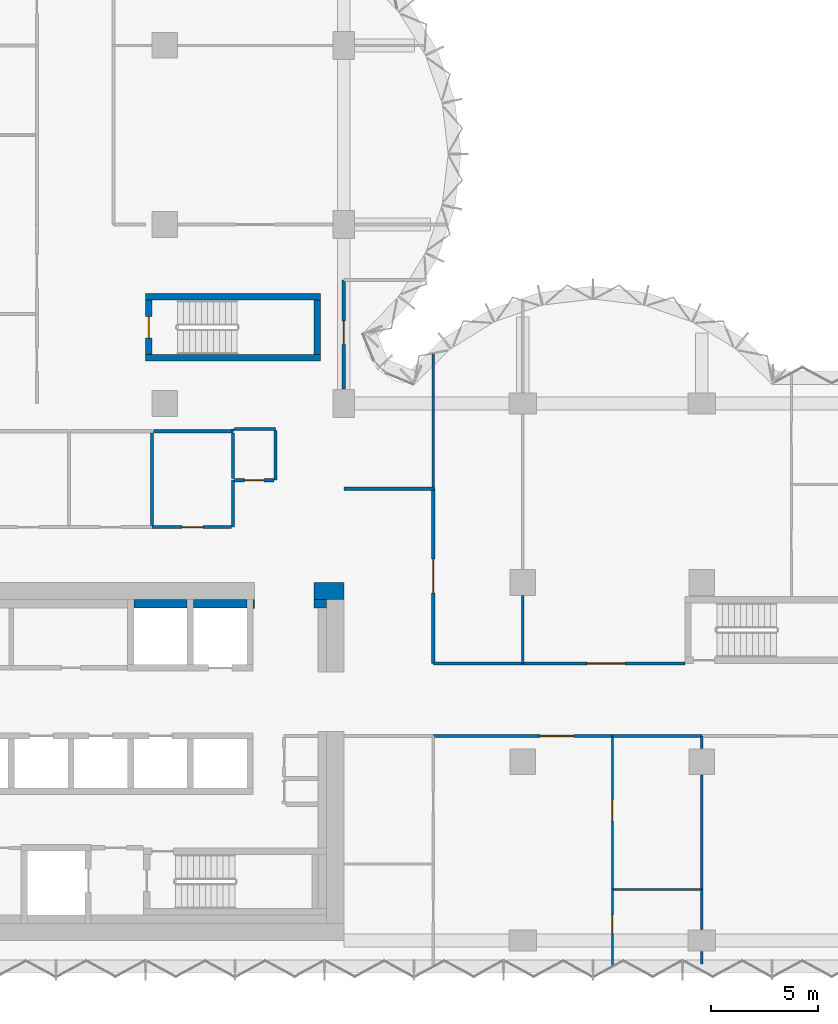
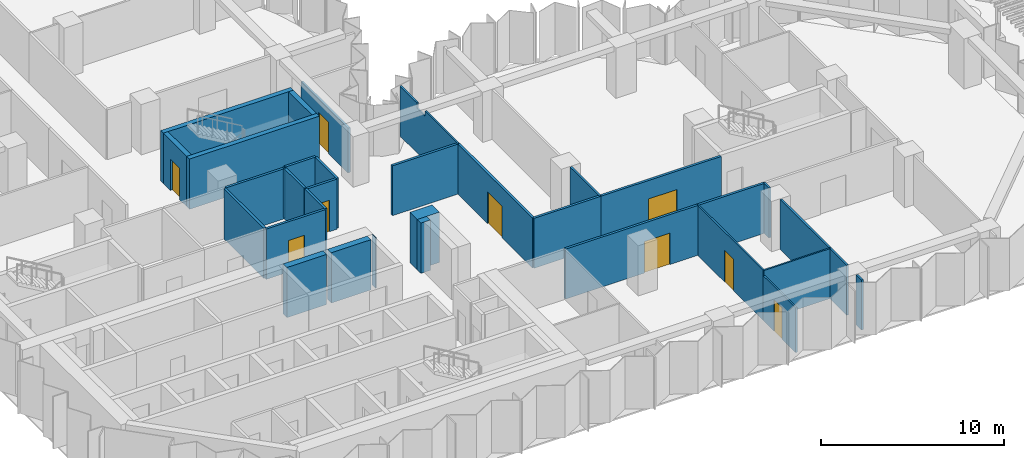
# One storey, part 12 of 18: 34 walls, 9 doors, 9 openings.
"""IFC4 building model written with IfcOpenShell, lengths in metres."""

from ifc_helpers import new_model, si_unit, direction, frame, frame_2d, origin, place, context, subcontext, project, spatial, polyline, rectangle, outline, extrude, material, layer, layer_set, type_object, element, fill, save


model = new_model("IFC4")

# Units and contexts
model_context = context("Model", 3, precision=1e-05, world=origin(), true_north=direction((0.0, 1.0)))
body_context = subcontext(model_context, "Body", "Model", "MODEL_VIEW")
ifc_project = project(units=[si_unit("LENGTHUNIT", "METRE"), si_unit("AREAUNIT", "SQUARE_METRE"), si_unit("VOLUMEUNIT", "CUBIC_METRE"), si_unit("PLANEANGLEUNIT", "RADIAN"), si_unit("MASSUNIT", "GRAM", prefix="KILO")], contexts=[model_context])

# Site, building, storey
site_placement = place(None, origin())
site = spatial("IfcSite", under=ifc_project, at=site_placement, CompositionType="ELEMENT")
building_placement = place(site_placement, origin())
building = spatial("IfcBuilding", under=site, at=building_placement, Name="Brevane Broadcast Tower", CompositionType="ELEMENT")
storey_placement = place(building_placement, frame((0.0, 0.0, 134.89990234375)))
storey = spatial("IfcBuildingStorey", under=building, at=storey_placement, Name="L33", CompositionType="ELEMENT", Elevation=134.89990234375)

# Walls
ifc_material_1 = material(Name="Concrete C32/40", Category="concrete")
ifc_layer_1 = layer(ifc_material_1, 0.39990234375)
ifc_layer_set_1 = layer_set([ifc_layer_1], Name="Core chase wall 400 mm")
wall_type_1 = type_object("IfcWallType", Name="Core chase wall 400 mm", PredefinedType="PARTITIONING", material=ifc_layer_set_1)
wall_1_placement = place(storey_placement, frame((23.800048828125, 15.800048828125, 0.0), z_axis=(0.0, 0.0, 1.0), x_axis=(1.0, 0.0, 0.0)))
element("IfcWall", 1, at=wall_1_placement, inside=storey, type_object=wall_type_1, Name="L33 chase wall LN2", PredefinedType="PARTITIONING", context=body_context, shape_type="SweptSolid", body=[
    extrude(rectangle(XDim=0.599853515625, YDim=0.39990234375, at=frame_2d((0.2998046875, 0.0))), origin(), (0.0, 0.0, 1.0), 3.35009765625),
])
for number, where, z_axis, x_axis, name in (
    (2, (15.35009765625, 15.800048828125, 0.0), (0.0, 0.0, 1.0), (1.0, 0.0, 0.0), "L33 chase wall LN1-2-2-1"),
    (3, (18.14990234375, 15.800048828125, 0.0), (0.0, 0.0, 1.0), (1.0, 0.0, 0.0), "L33 chase wall LN1-2-2-2-1"),
):
    element("IfcWall", number, at=place(storey_placement, frame(where, z_axis=z_axis, x_axis=x_axis)), inside=storey, type_object=wall_type_1, Name=name, PredefinedType="PARTITIONING", context=body_context, shape_type="SweptSolid", body=[
        extrude(rectangle(XDim=2.5, YDim=0.39990234375, at=frame_2d((1.25, 0.0))), origin(), (0.0, 0.0, 1.0), 3.35009765625),
    ])
wall_2_placement = place(storey_placement, frame((20.949951171875, 15.800048828125, 0.0), z_axis=(0.0, 0.0, 1.0), x_axis=(1.0, 0.0, 0.0)))
element("IfcWall", 4, at=wall_2_placement, inside=storey, type_object=wall_type_1, Name="L33 chase wall LN1-2-2-2-2", PredefinedType="PARTITIONING", context=body_context, shape_type="SweptSolid", body=[
    extrude(rectangle(XDim=0.050048828125, YDim=0.39990234375, at=frame_2d((0.02490234375, 0.0))), origin(), (0.0, 0.0, 1.0), 3.35009765625),
])
ifc_material_2 = material(Name="Gypsum board on steel studs", Category="steel")
ifc_layer_2 = layer(ifc_material_2, 0.14990234375)
ifc_layer_set_2 = layer_set([ifc_layer_2], Name="Core fire partition 150 mm")
wall_type_2 = type_object("IfcWallType", Name="Core fire partition 150 mm", PredefinedType="PARTITIONING", material=ifc_layer_set_2)
wall_3_placement = place(storey_placement, frame((20.0, 21.60009765625, 0.0), z_axis=(0.0, 0.0, 1.0), x_axis=(0.0, -1.0, 0.0)))
element("IfcWall", 5, at=wall_3_placement, inside=storey, type_object=wall_type_2, Name="L33 partition wall P22", PredefinedType="PARTITIONING", context=body_context, shape_type="SweptSolid", body=[
    extrude(rectangle(XDim=2.2001953125, YDim=0.14990234375, at=frame_2d((1.10009765625, 0.0))), origin(), (0.0, 0.0, 1.0), 3.35009765625),
])

# Wall, opening, door
wall_4_placement = place(storey_placement, frame((19.925048828125, 19.39990234375, 0.0), z_axis=(0.0, 0.0, 1.0), x_axis=(-1.0, 0.0, 0.0)))
wall_4 = element("IfcWall", 6, at=wall_4_placement, inside=storey, type_object=wall_type_2, Name="L33 partition wall P23", PredefinedType="PARTITIONING", context=body_context, shape_type="SweptSolid", body=[
    extrude(rectangle(XDim=3.72509765625, YDim=0.14990234375, at=frame_2d((1.862548828125, 0.0))), origin(), (0.0, 0.0, 1.0), 3.35009765625),
])
opening_1_placement = place(wall_4_placement, frame((1.324951171875, 0.0, 0.0)))
opening_1 = element("IfcOpeningElement", 7, at=opening_1_placement, cuts=wall_4, Name="Opening L33-K27", PredefinedType="OPENING", context=body_context, shape_type="SweptSolid", body=[
    extrude(rectangle(XDim=1.0, YDim=2.10009765625, at=frame_2d((0.5, 1.050048828125))), frame((0.0, 0.0849609375, 0.0), z_axis=(0.0, -1.0, 0.0), x_axis=(1.0, 0.0, 0.0)), (0.0, 0.0, 1.0), 0.169921875),
])
ifc_material_3 = material(Name="Steel", Category="steel")
door_type_1 = type_object("IfcDoorType", Name="Service room door 1000 x 2100", OperationType="SINGLE_SWING_LEFT", PredefinedType="DOOR", material=ifc_material_3)
door_1_placement = place(opening_1_placement, origin())
door_1 = element("IfcDoor", 8, at=door_1_placement, inside=storey, type_object=door_type_1, Name="Door L33-K27", OperationType="SINGLE_SWING_LEFT", OverallHeight=2.10009765625, OverallWidth=1.0, PredefinedType="DOOR", context=body_context, shape_type="SweptSolid", body=[
    extrude(rectangle(XDim=1.0, YDim=2.10009765625, at=frame_2d((0.5, 1.050048828125))), frame((0.0, 0.02490234375, 0.0), z_axis=(0.0, -1.0, 0.0), x_axis=(1.0, 0.0, 0.0)), (0.0, 0.0, 1.0), 0.050048828125),
])
fill(opening_1, door_1)

# Walls
wall_5_placement = place(storey_placement, frame((16.199951171875, 23.824951171875, 0.0), z_axis=(0.0, 0.0, 1.0), x_axis=(0.0, -1.0, 0.0)))
element("IfcWall", 9, at=wall_5_placement, inside=storey, type_object=wall_type_2, Name="L33 partition wall P24", PredefinedType="PARTITIONING", context=body_context, shape_type="SweptSolid", body=[
    extrude(rectangle(XDim=4.349853515625, YDim=0.14990234375, at=frame_2d((2.1748046875, 0.0))), origin(), (0.0, 0.0, 1.0), 3.35009765625),
])
wall_6_placement = place(storey_placement, frame((16.27490234375, 23.89990234375, 0.0), z_axis=(0.0, 0.0, 1.0), x_axis=(1.0, 0.0, 0.0)))
element("IfcWall", 10, at=wall_6_placement, inside=storey, type_object=wall_type_2, Name="L33 partition wall P25", PredefinedType="PARTITIONING", context=body_context, shape_type="SweptSolid", body=[
    extrude(rectangle(XDim=3.72509765625, YDim=0.14990234375, at=frame_2d((1.862548828125, 0.0))), origin(), (0.0, 0.0, 1.0), 3.35009765625),
])
wall_7_placement = place(storey_placement, frame((20.0, 23.89990234375, 0.0), z_axis=(0.0, 0.0, 1.0), x_axis=(0.0, 1.0, 0.0)))
element("IfcWall", 11, at=wall_7_placement, inside=storey, type_object=wall_type_2, Name="L33 partition wall P26", PredefinedType="PARTITIONING", context=body_context, shape_type="SweptSolid", body=[
    extrude(rectangle(XDim=0.10009765625, YDim=0.14990234375, at=frame_2d((0.050048828125, 0.0))), origin(), (0.0, 0.0, 1.0), 3.35009765625),
])
wall_8_placement = place(storey_placement, frame((20.074951171875, 24.0, 0.0), z_axis=(0.0, 0.0, 1.0), x_axis=(1.0, 0.0, 0.0)))
element("IfcWall", 12, at=wall_8_placement, inside=storey, type_object=wall_type_2, Name="L33 partition wall P27", PredefinedType="PARTITIONING", context=body_context, shape_type="SweptSolid", body=[
    extrude(rectangle(XDim=1.925048828125, YDim=0.14990234375, at=frame_2d((0.96240234375, 0.0))), origin(), (0.0, 0.0, 1.0), 3.35009765625),
])
wall_9_placement = place(storey_placement, frame((22.0, 23.925048828125, 0.0), z_axis=(0.0, 0.0, 1.0), x_axis=(0.0, -1.0, 0.0)))
element("IfcWall", 13, at=wall_9_placement, inside=storey, type_object=wall_type_2, Name="L33 partition wall P28", PredefinedType="PARTITIONING", context=body_context, shape_type="SweptSolid", body=[
    extrude(rectangle(XDim=2.324951171875, YDim=0.14990234375, at=frame_2d((1.16259765625, 0.0))), origin(), (0.0, 0.0, 1.0), 3.35009765625),
])

# Wall, opening, door
wall_10_placement = place(storey_placement, frame((21.925048828125, 21.60009765625, 0.0), z_axis=(0.0, 0.0, 1.0), x_axis=(-1.0, 0.0, 0.0)))
wall_10 = element("IfcWall", 14, at=wall_10_placement, inside=storey, type_object=wall_type_2, Name="L33 partition wall P29", PredefinedType="PARTITIONING", context=body_context, shape_type="SweptSolid", body=[
    extrude(rectangle(XDim=1.85009765625, YDim=0.14990234375, at=frame_2d((0.925048828125, 0.0))), origin(), (0.0, 0.0, 1.0), 3.35009765625),
])
opening_2_placement = place(wall_10_placement, frame((0.47509765625, 0.0, 0.0)))
opening_2 = element("IfcOpeningElement", 15, at=opening_2_placement, cuts=wall_10, Name="Opening L33-K24", PredefinedType="OPENING", context=body_context, shape_type="SweptSolid", body=[
    extrude(rectangle(XDim=0.89990234375, YDim=2.10009765625, at=frame_2d((0.449951171875, 1.050048828125))), frame((0.0, 0.0849609375, 0.0), z_axis=(0.0, -1.0, 0.0), x_axis=(1.0, 0.0, 0.0)), (0.0, 0.0, 1.0), 0.169921875),
])
ifc_material_4 = material(Name="Timber", Category="wood")
door_type_2 = type_object("IfcDoorType", Name="Toilet door 900 x 2100", OperationType="SINGLE_SWING_LEFT", PredefinedType="DOOR", material=ifc_material_4)
door_2_placement = place(opening_2_placement, origin())
door_2 = element("IfcDoor", 16, at=door_2_placement, inside=storey, type_object=door_type_2, Name="Door L33-K24", OperationType="SINGLE_SWING_RIGHT", OverallHeight=2.10009765625, OverallWidth=0.89990234375, PredefinedType="DOOR", context=body_context, shape_type="SweptSolid", body=[
    extrude(rectangle(XDim=0.89990234375, YDim=2.10009765625, at=frame_2d((0.449951171875, 1.050048828125))), frame((0.0, 0.02490234375, 0.0), z_axis=(0.0, -1.0, 0.0), x_axis=(1.0, 0.0, 0.0)), (0.0, 0.0, 1.0), 0.050048828125),
])
fill(opening_2, door_2)

# Walls
wall_11_placement = place(storey_placement, frame((20.0, 21.675048828125, 0.0), z_axis=(0.0, 0.0, 1.0), x_axis=(0.0, 1.0, 0.0)))
element("IfcWall", 17, at=wall_11_placement, inside=storey, type_object=wall_type_2, Name="L33 partition wall P30", PredefinedType="PARTITIONING", context=body_context, shape_type="SweptSolid", body=[
    extrude(rectangle(XDim=2.14990234375, YDim=0.14990234375, at=frame_2d((1.074951171875, 0.0))), origin(), (0.0, 0.0, 1.0), 3.35009765625),
])
ifc_material_5 = material(Name="Concrete C60/75", Category="concrete")
ifc_layer_3 = layer(ifc_material_5, 0.300048828125)
ifc_layer_set_3 = layer_set([ifc_layer_3], Name="Core wall 300 mm C60/75")
wall_type_3 = type_object("IfcWallType", Name="Core wall 300 mm C60/75", PredefinedType="SHEAR", material=ifc_layer_set_3)
for number, where, z_axis, x_axis, name in (
    (18, (15.89990234375, 27.35009765625, 0.0), (0.0, 0.0, 1.0), (1.0, 0.0, 0.0), "L33 stair wall ST-3-S"),
    (19, (15.89990234375, 30.199951171875, 0.0), (0.0, 0.0, 1.0), (1.0, 0.0, 0.0), "L33 stair wall ST-3-N"),
):
    element("IfcWall", number, at=place(storey_placement, frame(where, z_axis=z_axis, x_axis=x_axis)), inside=storey, type_object=wall_type_3, Name=name, PredefinedType="SHEAR", context=body_context, shape_type="SweptSolid", body=[
        extrude(rectangle(XDim=8.2001953125, YDim=0.300048828125, at=frame_2d((4.10009765625, 0.0))), origin(), (0.0, 0.0, 1.0), 3.35009765625),
    ])

# Wall, opening, door
wall_12_placement = place(storey_placement, frame((16.050048828125, 27.5, 0.0), z_axis=(0.0, 0.0, 1.0), x_axis=(0.0, 1.0, 0.0)))
wall_12 = element("IfcWall", 20, at=wall_12_placement, inside=storey, type_object=wall_type_3, Name="L33 stair wall ST-3-W", PredefinedType="SHEAR", context=body_context, shape_type="SweptSolid", body=[
    extrude(rectangle(XDim=2.550048828125, YDim=0.300048828125, at=frame_2d((1.27490234375, 0.0))), origin(), (0.0, 0.0, 1.0), 3.35009765625),
])
opening_3_placement = place(wall_12_placement, frame((0.77490234375, 0.0, 0.0)))
opening_3 = element("IfcOpeningElement", 21, at=opening_3_placement, cuts=wall_12, Name="Opening L33-K14", PredefinedType="OPENING", context=body_context, shape_type="SweptSolid", body=[
    extrude(rectangle(XDim=1.0, YDim=2.10009765625, at=frame_2d((0.5, 1.050048828125))), frame((0.0, 0.159912109375, 0.0), z_axis=(0.0, -1.0, 0.0), x_axis=(1.0, 0.0, 0.0)), (0.0, 0.0, 1.0), 0.320068359375),
])
door_type_3 = type_object("IfcDoorType", Name="Stair door 1000 x 2100", OperationType="SINGLE_SWING_LEFT", PredefinedType="DOOR", material=ifc_material_3)
door_3_placement = place(opening_3_placement, origin())
door_3 = element("IfcDoor", 22, at=door_3_placement, inside=storey, type_object=door_type_3, Name="Door L33-K14", OperationType="SINGLE_SWING_RIGHT", OverallHeight=2.10009765625, OverallWidth=1.0, PredefinedType="DOOR", context=body_context, shape_type="SweptSolid", body=[
    extrude(rectangle(XDim=1.0, YDim=2.10009765625, at=frame_2d((0.5, 1.050048828125))), frame((0.0, 0.02490234375, 0.0), z_axis=(0.0, -1.0, 0.0), x_axis=(1.0, 0.0, 0.0)), (0.0, 0.0, 1.0), 0.050048828125),
])
fill(opening_3, door_3)

# Walls
wall_13_placement = place(storey_placement, frame((23.949951171875, 27.5, 0.0), z_axis=(0.0, 0.0, 1.0), x_axis=(0.0, 1.0, 0.0)))
element("IfcWall", 23, at=wall_13_placement, inside=storey, type_object=wall_type_3, Name="L33 stair wall ST-3-E", PredefinedType="SHEAR", context=body_context, shape_type="SweptSolid", body=[
    extrude(rectangle(XDim=2.550048828125, YDim=0.300048828125, at=frame_2d((1.27490234375, 0.0))), origin(), (0.0, 0.0, 1.0), 3.35009765625),
])
ifc_layer_4 = layer(ifc_material_5, 0.800048828125)
ifc_layer_set_4 = layer_set([ifc_layer_4], Name="Core wall 800 mm C60/75")
wall_type_4 = type_object("IfcWallType", Name="Core wall 800 mm C60/75", PredefinedType="SHEAR", material=ifc_layer_set_4)
wall_14_placement = place(storey_placement, frame((23.800048828125, 16.39990234375, 0.0), z_axis=(0.0, 0.0, 1.0), x_axis=(1.0, 0.0, 0.0)))
element("IfcWall", 24, at=wall_14_placement, inside=storey, type_object=wall_type_4, Name="L33 outer wall WN2", PredefinedType="SHEAR", context=body_context, shape_type="SweptSolid", body=[
    extrude(rectangle(XDim=1.39990234375, YDim=0.800048828125, at=frame_2d((0.699951171875, 0.0))), origin(), (0.0, 0.0, 1.0), 3.35009765625),
])
ifc_material_6 = material(Name="Gypsum board partition")
ifc_layer_5 = layer(ifc_material_6, 0.10009765625)
ifc_layer_set_5 = layer_set([ifc_layer_5], Name="PARTITION 100 STUD")
wall_type_5 = type_object("IfcWallType", Name="PARTITION 100 STUD", PredefinedType="PARTITIONING", material=ifc_layer_set_5)
wall_15_placement = place(storey_placement, frame((29.39990234375, 27.510986328125, 0.0), z_axis=(0.0, 0.0, 1.0), x_axis=(0.0, -1.0, 0.0)))
element("IfcWall", 25, at=wall_15_placement, inside=storey, type_object=wall_type_5, Name="Partition G10-004", PredefinedType="PARTITIONING", context=body_context, shape_type="SweptSolid", body=[
    extrude(outline(polyline([(0.0, 0.0), (6.31103515625, 0.0), (6.31103515625, 3.330078125), (2.760986328125, 3.330078125), (2.759033203125, 2.97998046875), (1.863037109375, 2.97998046875), (1.861083984375, 3.330078125), (0.236083984375, 3.330078125), (0.0, 3.330078125), (0.0, 0.0)])), frame((0.0, 0.050048828125, 0.0), z_axis=(0.0, -1.0, 0.0), x_axis=(1.0, 0.0, 0.0)), (0.0, 0.0, 1.0), 0.10009765625),
])

# Wall, opening, door
wall_16_placement = place(storey_placement, frame((37.800048828125, 2.39990234375, 0.0), z_axis=(0.0, 0.0, 1.0), x_axis=(0.0, -1.0, 0.0)))
wall_16 = element("IfcWall", 26, at=wall_16_placement, inside=storey, type_object=wall_type_5, Name="Partition G10-021", PredefinedType="PARTITIONING", context=body_context, shape_type="SweptSolid", body=[
    extrude(rectangle(XDim=3.573974609375, YDim=0.10009765625, at=frame_2d((1.787109375, 0.0))), origin(), (0.0, 0.0, 1.0), 2.97998046875),
])
opening_4_placement = place(wall_16_placement, frame((1.199951171875, 0.0, 0.0)))
opening_4 = element("IfcOpeningElement", 27, at=opening_4_placement, cuts=wall_16, Name="Opening D17-004", PredefinedType="OPENING", context=body_context, shape_type="SweptSolid", body=[
    extrude(rectangle(XDim=0.89990234375, YDim=2.10009765625, at=frame_2d((0.449951171875, 1.050048828125))), frame((0.0, 0.06005859375, 0.0), z_axis=(0.0, -1.0, 0.0), x_axis=(1.0, 0.0, 0.0)), (0.0, 0.0, 1.0), 0.1201171875),
])
ifc_material_7 = material(Name="Timber door leaf", Category="wood")
door_type_4 = type_object("IfcDoorType", Name="DOOR SINGLE 900 INTERNAL", OperationType="SINGLE_SWING_LEFT", PredefinedType="DOOR", material=ifc_material_7)
door_4_placement = place(opening_4_placement, origin())
door_4 = element("IfcDoor", 28, at=door_4_placement, inside=storey, type_object=door_type_4, Name="Door D17-004", OperationType="SINGLE_SWING_LEFT", OverallHeight=2.10009765625, OverallWidth=0.89990234375, PredefinedType="DOOR", context=body_context, shape_type="SweptSolid", body=[
    extrude(rectangle(XDim=0.89990234375, YDim=2.10009765625, at=frame_2d((0.449951171875, 1.050048828125))), frame((0.0, 0.02490234375, 0.0), z_axis=(0.0, -1.0, 0.0), x_axis=(1.0, 0.0, 0.0)), (0.0, 0.0, 1.0), 0.050048828125),
])
fill(opening_4, door_4)

wall_17_placement = place(storey_placement, frame((37.800048828125, 9.60009765625, 0.0), z_axis=(0.0, 0.0, 1.0), x_axis=(0.0, -1.0, 0.0)))
wall_17 = element("IfcWall", 29, at=wall_17_placement, inside=storey, type_object=wall_type_5, Name="Partition G10-022", PredefinedType="PARTITIONING", context=body_context, shape_type="SweptSolid", body=[
    extrude(rectangle(XDim=7.2001953125, YDim=0.10009765625, at=frame_2d((3.60009765625, 0.0))), origin(), (0.0, 0.0, 1.0), 3.330078125),
])
opening_5_placement = place(wall_17_placement, frame((3.0, 0.0, 0.0)))
opening_5 = element("IfcOpeningElement", 30, at=opening_5_placement, cuts=wall_17, Name="Opening D17-005", PredefinedType="OPENING", context=body_context, shape_type="SweptSolid", body=[
    extrude(rectangle(XDim=1.0, YDim=2.10009765625, at=frame_2d((0.5, 1.050048828125))), frame((0.0, 0.06005859375, 0.0), z_axis=(0.0, -1.0, 0.0), x_axis=(1.0, 0.0, 0.0)), (0.0, 0.0, 1.0), 0.1201171875),
])
door_type_5 = type_object("IfcDoorType", Name="DOOR SINGLE 1000 INTERNAL", OperationType="SINGLE_SWING_LEFT", PredefinedType="DOOR", material=ifc_material_7)
door_5_placement = place(opening_5_placement, origin())
door_5 = element("IfcDoor", 31, at=door_5_placement, inside=storey, type_object=door_type_5, Name="Door D17-005", OperationType="SINGLE_SWING_LEFT", OverallHeight=2.10009765625, OverallWidth=1.0, PredefinedType="DOOR", context=body_context, shape_type="SweptSolid", body=[
    extrude(rectangle(XDim=1.0, YDim=2.10009765625, at=frame_2d((0.5, 1.050048828125))), frame((0.0, 0.02490234375, 0.0), z_axis=(0.0, -1.0, 0.0), x_axis=(1.0, 0.0, 0.0)), (0.0, 0.0, 1.0), 0.050048828125),
])
fill(opening_5, door_5)

# Walls
wall_18_placement = place(storey_placement, frame((37.800048828125, 2.39990234375, 0.0), z_axis=(0.0, 0.0, 1.0), x_axis=(1.0, 0.0, 0.0)))
element("IfcWall", 32, at=wall_18_placement, inside=storey, type_object=wall_type_5, Name="Partition G10-025", PredefinedType="PARTITIONING", context=body_context, shape_type="SweptSolid", body=[
    extrude(rectangle(XDim=4.199951171875, YDim=0.10009765625, at=frame_2d((2.10009765625, 0.0))), origin(), (0.0, 0.0, 1.0), 3.330078125),
])
ifc_layer_6 = layer(ifc_material_6, 0.125)
ifc_layer_set_6 = layer_set([ifc_layer_6], Name="PARTITION 125 ACOUSTIC")
wall_type_6 = type_object("IfcWallType", Name="PARTITION 125 ACOUSTIC", PredefinedType="PARTITIONING", material=ifc_layer_set_6)
wall_19_placement = place(storey_placement, frame((42.0, 2.39990234375, 0.0), z_axis=(0.0, 0.0, 1.0), x_axis=(0.0, -1.0, 0.0)))
element("IfcWall", 33, at=wall_19_placement, inside=storey, type_object=wall_type_6, Name="Partition G10-026", PredefinedType="PARTITIONING", context=body_context, shape_type="SweptSolid", body=[
    extrude(rectangle(XDim=1.8798828125, YDim=0.125, at=frame_2d((0.93994140625, 0.0))), origin(), (0.0, 0.0, 1.0), 3.330078125),
])
for number, where, z_axis, x_axis, name in (
    (34, (42.0, -0.52001953125, 0.0), (0.0, 0.0, 1.0), (0.0, -1.0, 0.0), "Partition G10-027"),
    (35, (42.0, 9.60009765625, 0.0), (0.0, 0.0, 1.0), (0.0, -1.0, 0.0), "Partition G10-028"),
):
    element("IfcWall", number, at=place(storey_placement, frame(where, z_axis=z_axis, x_axis=x_axis)), inside=storey, type_object=wall_type_6, Name=name, PredefinedType="PARTITIONING", context=body_context, shape_type="SweptSolid", body=[
        extrude(rectangle(XDim=0.580078125, YDim=0.125, at=frame_2d((0.2900390625, 0.0))), origin(), (0.0, 0.0, 1.0), 3.330078125),
    ])
wall_20_placement = place(storey_placement, frame((42.0, 7.780029296875, 0.0), z_axis=(0.0, 0.0, 1.0), x_axis=(0.0, -1.0, 0.0)))
element("IfcWall", 36, at=wall_20_placement, inside=storey, type_object=wall_type_6, Name="Partition G10-029", PredefinedType="PARTITIONING", context=body_context, shape_type="SweptSolid", body=[
    extrude(rectangle(XDim=5.380126953125, YDim=0.125, at=frame_2d((2.68994140625, 0.0))), origin(), (0.0, 0.0, 1.0), 3.330078125),
])
wall_21_placement = place(storey_placement, frame((33.60009765625, 16.179931640625, 0.0), z_axis=(0.0, 0.0, 1.0), x_axis=(0.0, -1.0, 0.0)))
element("IfcWall", 37, at=wall_21_placement, inside=storey, type_object=wall_type_6, Name="Partition G10-033", PredefinedType="PARTITIONING", context=body_context, shape_type="SweptSolid", body=[
    extrude(rectangle(XDim=3.179931640625, YDim=0.125, at=frame_2d((1.58984375, 0.0))), origin(), (0.0, 0.0, 1.0), 3.330078125),
])
ifc_layer_7 = layer(ifc_material_6, 0.14990234375)
ifc_layer_set_7 = layer_set([ifc_layer_7], Name="PARTITION 150 EI 60")
wall_type_7 = type_object("IfcWallType", Name="PARTITION 150 EI 60", PredefinedType="PARTITIONING", material=ifc_layer_set_7)
wall_22_placement = place(storey_placement, frame((25.199951171875, 21.199951171875, 0.0), z_axis=(0.0, 0.0, 1.0), x_axis=(1.0, 0.0, 0.0)))
element("IfcWall", 38, at=wall_22_placement, inside=storey, type_object=wall_type_7, Name="Partition G10-001", PredefinedType="PARTITIONING", context=body_context, shape_type="SweptSolid", body=[
    extrude(rectangle(XDim=4.199951171875, YDim=0.14990234375, at=frame_2d((2.10009765625, 0.0))), origin(), (0.0, 0.0, 1.0), 3.330078125),
])

# Wall, opening, door
wall_23_placement = place(storey_placement, frame((29.39990234375, 21.199951171875, 0.0), z_axis=(0.0, 0.0, 1.0), x_axis=(0.0, -1.0, 0.0)))
wall_23 = element("IfcWall", 39, at=wall_23_placement, inside=storey, type_object=wall_type_7, Name="Partition G10-003", PredefinedType="PARTITIONING", context=body_context, shape_type="SweptSolid", body=[
    extrude(rectangle(XDim=8.199951171875, YDim=0.14990234375, at=frame_2d((4.10009765625, 0.0))), origin(), (0.0, 0.0, 1.0), 3.330078125),
])
opening_6_placement = place(wall_23_placement, frame((3.300048828125, 0.0, 0.0)))
opening_6 = element("IfcOpeningElement", 40, at=opening_6_placement, cuts=wall_23, Name="Opening D17-009", PredefinedType="OPENING", context=body_context, shape_type="SweptSolid", body=[
    extrude(rectangle(XDim=1.60009765625, YDim=2.10009765625, at=frame_2d((0.800048828125, 1.050048828125))), frame((0.0, 0.0849609375, 0.0), z_axis=(0.0, -1.0, 0.0), x_axis=(1.0, 0.0, 0.0)), (0.0, 0.0, 1.0), 0.169921875),
])
ifc_material_8 = material(Name="Fire-rated timber door leaf", Category="wood")
door_type_6 = type_object("IfcDoorType", Name="DOOR DOUBLE 1600 FD30S", OperationType="DOUBLE_DOOR_SINGLE_SWING", PredefinedType="DOOR", material=ifc_material_8)
door_6_placement = place(opening_6_placement, origin())
door_6 = element("IfcDoor", 41, at=door_6_placement, inside=storey, type_object=door_type_6, Name="Door D17-009", OperationType="DOUBLE_DOOR_SINGLE_SWING", OverallHeight=2.10009765625, OverallWidth=1.60009765625, PredefinedType="DOOR", context=body_context, shape_type="SweptSolid", body=[
    extrude(rectangle(XDim=1.60009765625, YDim=2.10009765625, at=frame_2d((0.800048828125, 1.050048828125))), frame((0.0, 0.02490234375, 0.0), z_axis=(0.0, -1.0, 0.0), x_axis=(1.0, 0.0, 0.0)), (0.0, 0.0, 1.0), 0.050048828125),
])
fill(opening_6, door_6)

wall_24_placement = place(storey_placement, frame((25.199951171875, 31.0, 0.0), z_axis=(0.0, 0.0, 1.0), x_axis=(0.0, -1.0, 0.0)))
wall_24 = element("IfcWall", 42, at=wall_24_placement, inside=storey, type_object=wall_type_7, Name="Partition G10-005", PredefinedType="PARTITIONING", context=body_context, shape_type="SweptSolid", body=[
    extrude(outline(polyline([(0.0, 0.0), (5.1298828125, 0.0), (5.1298828125, 2.97998046875), (0.0, 2.97998046875), (0.0, 0.0)])), frame((0.0, 0.074951171875, 0.0), z_axis=(0.0, -1.0, 0.0), x_axis=(1.0, 0.0, 0.0)), (0.0, 0.0, 1.0), 0.14990234375),
])
opening_7_placement = place(wall_24_placement, frame((1.929931640625, 0.0, 0.0)))
opening_7 = element("IfcOpeningElement", 43, at=opening_7_placement, cuts=wall_24, Name="Opening D17-001", PredefinedType="OPENING", context=body_context, shape_type="SweptSolid", body=[
    extrude(rectangle(XDim=1.10009765625, YDim=2.10009765625, at=frame_2d((0.550048828125, 1.050048828125))), frame((0.0, 0.0849609375, 0.0), z_axis=(0.0, -1.0, 0.0), x_axis=(1.0, 0.0, 0.0)), (0.0, 0.0, 1.0), 0.169921875),
])
door_type_7 = type_object("IfcDoorType", Name="DOOR SINGLE 1100 FD30S", OperationType="SINGLE_SWING_LEFT", PredefinedType="DOOR", material=ifc_material_8)
door_7_placement = place(opening_7_placement, origin())
door_7 = element("IfcDoor", 44, at=door_7_placement, inside=storey, type_object=door_type_7, Name="Door D17-001", OperationType="SINGLE_SWING_RIGHT", OverallHeight=2.10009765625, OverallWidth=1.10009765625, PredefinedType="DOOR", context=body_context, shape_type="SweptSolid", body=[
    extrude(rectangle(XDim=1.10009765625, YDim=2.10009765625, at=frame_2d((0.550048828125, 1.050048828125))), frame((0.0, 0.02490234375, 0.0), z_axis=(0.0, -1.0, 0.0), x_axis=(1.0, 0.0, 0.0)), (0.0, 0.0, 1.0), 0.050048828125),
])
fill(opening_7, door_7)

wall_25_placement = place(storey_placement, frame((37.800048828125, 9.60009765625, 0.0), z_axis=(0.0, 0.0, 1.0), x_axis=(-1.0, 0.0, 0.0)))
wall_25 = element("IfcWall", 45, at=wall_25_placement, inside=storey, type_object=wall_type_7, Name="Partition G10-008", PredefinedType="PARTITIONING", context=body_context, shape_type="SweptSolid", body=[
    extrude(rectangle(XDim=8.400146484375, YDim=0.14990234375, at=frame_2d((4.2001953125, 0.0))), origin(), (0.0, 0.0, 1.0), 3.330078125),
])
opening_8_placement = place(wall_25_placement, frame((1.800048828125, 0.0, 0.0)))
opening_8 = element("IfcOpeningElement", 46, at=opening_8_placement, cuts=wall_25, Name="Opening D17-003", PredefinedType="OPENING", context=body_context, shape_type="SweptSolid", body=[
    extrude(rectangle(XDim=1.60009765625, YDim=2.10009765625, at=frame_2d((0.800048828125, 1.050048828125))), frame((0.0, 0.0849609375, 0.0), z_axis=(0.0, -1.0, 0.0), x_axis=(1.0, 0.0, 0.0)), (0.0, 0.0, 1.0), 0.169921875),
])
door_8_placement = place(opening_8_placement, origin())
door_8 = element("IfcDoor", 47, at=door_8_placement, inside=storey, type_object=door_type_6, Name="Door D17-003", OperationType="DOUBLE_DOOR_SINGLE_SWING", OverallHeight=2.10009765625, OverallWidth=1.60009765625, PredefinedType="DOOR", context=body_context, shape_type="SweptSolid", body=[
    extrude(rectangle(XDim=1.60009765625, YDim=2.10009765625, at=frame_2d((0.800048828125, 1.050048828125))), frame((0.0, 0.02490234375, 0.0), z_axis=(0.0, -1.0, 0.0), x_axis=(1.0, 0.0, 0.0)), (0.0, 0.0, 1.0), 0.050048828125),
])
fill(opening_8, door_8)

# Walls
wall_26_placement = place(storey_placement, frame((42.0, 9.60009765625, 0.0), z_axis=(0.0, 0.0, 1.0), x_axis=(-1.0, 0.0, 0.0)))
element("IfcWall", 48, at=wall_26_placement, inside=storey, type_object=wall_type_7, Name="Partition G10-009", PredefinedType="PARTITIONING", context=body_context, shape_type="SweptSolid", body=[
    extrude(rectangle(XDim=4.199951171875, YDim=0.14990234375, at=frame_2d((2.10009765625, 0.0))), origin(), (0.0, 0.0, 1.0), 3.330078125),
])
wall_27_placement = place(storey_placement, frame((29.39990234375, 13.0, 0.0), z_axis=(0.0, 0.0, 1.0), x_axis=(1.0, 0.0, 0.0)))
element("IfcWall", 49, at=wall_27_placement, inside=storey, type_object=wall_type_7, Name="Partition G10-011", PredefinedType="PARTITIONING", context=body_context, shape_type="SweptSolid", body=[
    extrude(rectangle(XDim=4.2001953125, YDim=0.14990234375, at=frame_2d((2.10009765625, 0.0))), origin(), (0.0, 0.0, 1.0), 3.330078125),
])

# Wall, opening, door
wall_28_placement = place(storey_placement, frame((33.60009765625, 13.0, 0.0), z_axis=(0.0, 0.0, 1.0), x_axis=(1.0, 0.0, 0.0)))
wall_28 = element("IfcWall", 50, at=wall_28_placement, inside=storey, type_object=wall_type_7, Name="Partition G10-012", PredefinedType="PARTITIONING", context=body_context, shape_type="SweptSolid", body=[
    extrude(rectangle(XDim=7.599853515625, YDim=0.14990234375, at=frame_2d((3.7998046875, 0.0))), origin(), (0.0, 0.0, 1.0), 3.330078125),
])
opening_9_placement = place(wall_28_placement, frame((3.0, 0.0, 0.0)))
opening_9 = element("IfcOpeningElement", 51, at=opening_9_placement, cuts=wall_28, Name="Opening D17-010", PredefinedType="OPENING", context=body_context, shape_type="SweptSolid", body=[
    extrude(rectangle(XDim=1.800048828125, YDim=2.10009765625, at=frame_2d((0.89990234375, 1.050048828125))), frame((0.0, 0.0849609375, 0.0), z_axis=(0.0, -1.0, 0.0), x_axis=(1.0, 0.0, 0.0)), (0.0, 0.0, 1.0), 0.169921875),
])
door_type_8 = type_object("IfcDoorType", Name="DOOR DOUBLE 1800 FD30S", OperationType="DOUBLE_DOOR_SINGLE_SWING", PredefinedType="DOOR", material=ifc_material_8)
door_9_placement = place(opening_9_placement, origin())
door_9 = element("IfcDoor", 52, at=door_9_placement, inside=storey, type_object=door_type_8, Name="Door D17-010", OperationType="DOUBLE_DOOR_SINGLE_SWING", OverallHeight=2.10009765625, OverallWidth=1.800048828125, PredefinedType="DOOR", context=body_context, shape_type="SweptSolid", body=[
    extrude(rectangle(XDim=1.800048828125, YDim=2.10009765625, at=frame_2d((0.89990234375, 1.050048828125))), frame((0.0, 0.02490234375, 0.0), z_axis=(0.0, -1.0, 0.0), x_axis=(1.0, 0.0, 0.0)), (0.0, 0.0, 1.0), 0.050048828125),
])
fill(opening_9, door_9)

save(model, "model.ifc")
